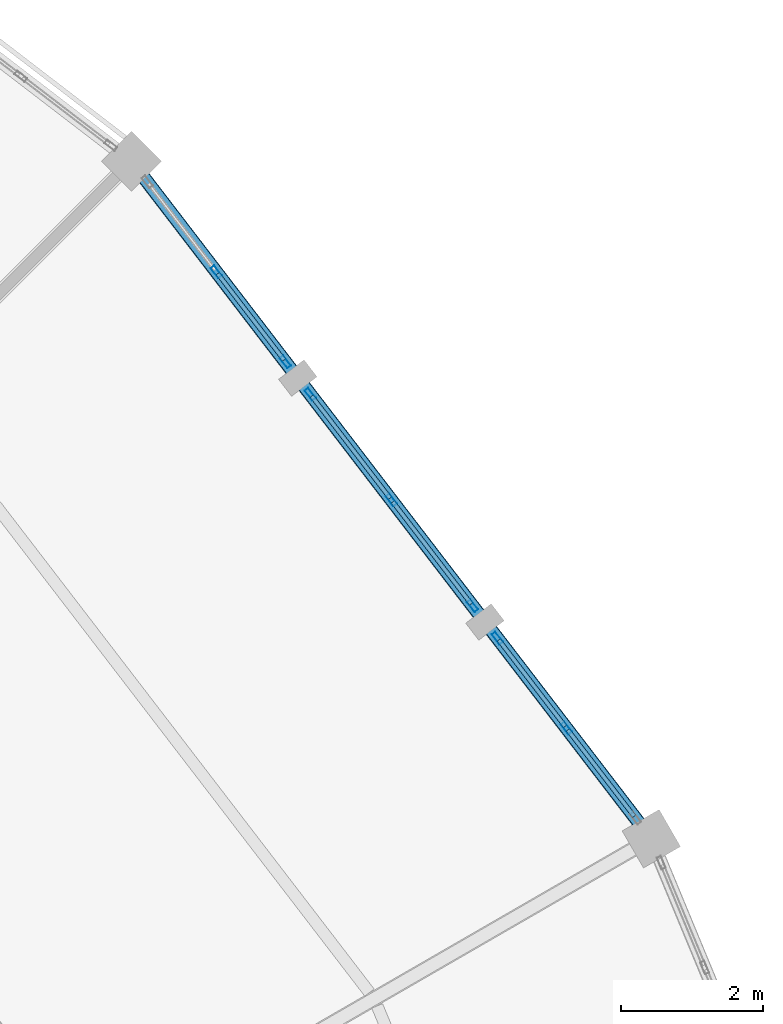
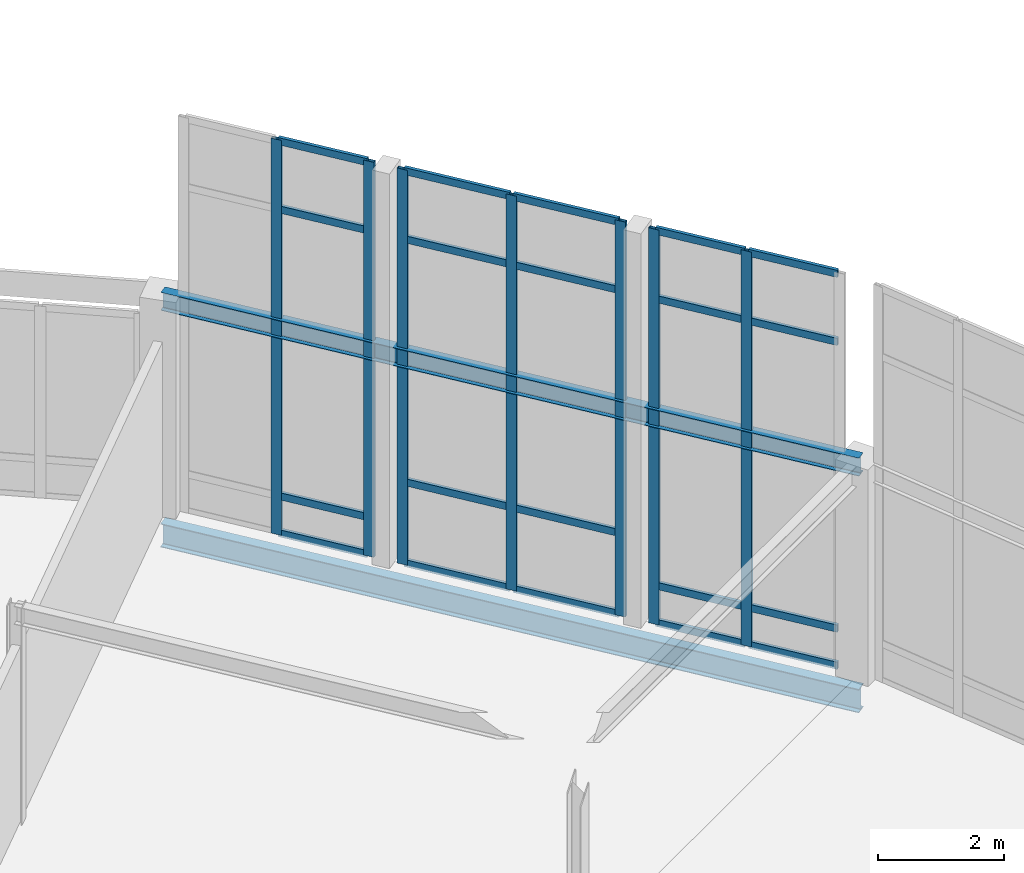
# One storey, part 131 of 185: 27 members, 2 beams, 3 elements without a shape of their own.
"""IFC4 building model written with IfcOpenShell, lengths in metres."""

from ifc_helpers import new_model, si_unit, direction, frame, origin, origin_2d, place, context, subcontext, project, spatial, hollow_rectangle, i_section, extrude, material, material_profile, profile_set, type_object, element, aggregate, save


model = new_model("IFC4")

# Units and contexts
model_context = context("Model", 3, precision=1e-05, world=origin(), true_north=direction((0.0, 1.0)))
body_context = subcontext(model_context, "Body", "Model", "MODEL_VIEW")
ifc_project = project(units=[si_unit("LENGTHUNIT", "METRE"), si_unit("AREAUNIT", "SQUARE_METRE"), si_unit("VOLUMEUNIT", "CUBIC_METRE"), si_unit("PLANEANGLEUNIT", "RADIAN"), si_unit("MASSUNIT", "GRAM", prefix="KILO")], contexts=[model_context])

# Site, building, storey
site_placement = place(None, origin())
site = spatial("IfcSite", under=ifc_project, at=site_placement, CompositionType="ELEMENT")
building_placement = place(site_placement, origin())
building = spatial("IfcBuilding", under=site, at=building_placement, Name="Vondelvale Polytechnic", CompositionType="ELEMENT")
storey_placement = place(building_placement, frame((0.0, 0.0, 9.60009765625)))
storey = spatial("IfcBuildingStorey", under=building, at=storey_placement, Name="L02", CompositionType="ELEMENT", Elevation=9.60009765625)

# Beams
ifc_material_1 = material(Name="Steel 300PLUS (fy = 300 MPa)", Category="steel")
ifc_material_profile_1 = material_profile(ifc_material_1, i_section(OverallWidth=0.1708984375, OverallDepth=0.35205078125, WebThickness=0.0068359375, FlangeThickness=0.009765625, FilletRadius=0.011474609375, at=origin_2d()), Name="360UB44.7")
ifc_profile_set_1 = profile_set([ifc_material_profile_1], Name="Steel 300PLUS (fy = 300 MPa)")
beam_type_1 = type_object("IfcBeamType", Name="BM-UB360L", PredefinedType="BEAM", material=ifc_profile_set_1)
beam_1_placement = place(storey_placement, frame((141.837158203125, 95.0, 4.02392578125), z_axis=(-0.608766116008, 0.793349743808, 0.0), x_axis=(-0.793349743808, -0.608766116008, 0.0)))
element("IfcBeam", 1, at=beam_1_placement, inside=storey, type_object=beam_type_1, Name="L02 RE B-24", PredefinedType="BEAM", context=body_context, shape_type="SweptSolid", body=[
    extrude(i_section(OverallWidth=0.1708984375, OverallDepth=0.35205078125, WebThickness=0.0068359375, FlangeThickness=0.009765625, FilletRadius=0.011474609375, at=origin_2d()), origin(), (0.0, 0.0, 1.0), 12.00830078125),
])
ifc_material_profile_2 = material_profile(ifc_material_1, i_section(OverallWidth=0.18994140625, OverallDepth=0.45703125, WebThickness=0.009033203125, FlangeThickness=0.014404296875, FilletRadius=0.011474609375, at=origin_2d()), Name="460UB74.6")
ifc_profile_set_2 = profile_set([ifc_material_profile_2], Name="Steel 300PLUS (fy = 300 MPa)")
beam_type_2 = type_object("IfcBeamType", Name="BM-UB460", PredefinedType="BEAM", material=ifc_profile_set_2)
beam_2_placement = place(storey_placement, frame((141.837158203125, 95.0, -0.508544921875), z_axis=(-0.608766116008, 0.793349743808, 0.0), x_axis=(-0.793349743808, -0.608766116008, 0.0)))
element("IfcBeam", 2, at=beam_2_placement, inside=storey, type_object=beam_type_2, Name="L02 RB B-13", PredefinedType="BEAM", context=body_context, shape_type="SweptSolid", body=[
    extrude(i_section(OverallWidth=0.18994140625, OverallDepth=0.45703125, WebThickness=0.009033203125, FlangeThickness=0.014404296875, FilletRadius=0.011474609375, at=origin_2d()), origin(), (0.0, 0.0, 1.0), 12.00830078125),
])

# Curtain wall, members
ifc_material_2 = material(Name="Glulam GL18 structural Tasmanian oak (fb = 42 MPa)", Category="wood")
curtain_wall_type = type_object("IfcCurtainWallType", Name="CW-RING-OUTER", PredefinedType="NOTDEFINED", material=ifc_material_2)
curtain_wall_1_placement = place(storey_placement, origin())
curtain_wall_1 = element("IfcCurtainWall", 3, at=curtain_wall_1_placement, inside=storey, type_object=curtain_wall_type, Name="L02 architectural curtain wall CW-04-094", PredefinedType="NOTDEFINED")
ifc_material_3 = material(Name="Anodised extruded aluminium 6063-T6", Category="aluminium")
ifc_material_profile_3 = material_profile(ifc_material_3, hollow_rectangle(XDim=0.06494140625, YDim=0.179931640625, WallThickness=0.00390625, at=origin_2d()), Name="CW-MUL-180x65")
ifc_profile_set_3 = profile_set([ifc_material_profile_3], Name="Anodised extruded aluminium 6063-T6")
member_type_1 = type_object("IfcMemberType", Name="CW-MUL-65x180", PredefinedType="MULLION", material=ifc_profile_set_3)
member_1_placement = place(storey_placement, frame((140.643798828125, 96.55517578125, 0.0), z_axis=(0.0, 0.0, 1.0), x_axis=(-0.793333825656, -0.608786860133, 0.0)))
member_1 = element("IfcMember", 4, at=member_1_placement, type_object=member_type_1, Name="CW-04-094 mullion 2", PredefinedType="MULLION", context=body_context, shape_type="SweptSolid", body=[
    extrude(hollow_rectangle(XDim=0.06494140625, YDim=0.179931640625, WallThickness=0.00390625, at=origin_2d()), origin(), (0.0, 0.0, 1.0), 7.661376953125),
])
member_2_placement = place(storey_placement, frame((139.6728515625, 97.820556640625, 0.0), z_axis=(0.0, 0.0, 1.0), x_axis=(-0.793333825656, -0.608786860133, 0.0)))
member_2 = element("IfcMember", 5, at=member_2_placement, type_object=member_type_1, Name="CW-04-094 mullion 3", PredefinedType="MULLION", context=body_context, shape_type="SweptSolid", body=[
    extrude(hollow_rectangle(XDim=0.06494140625, YDim=0.179931640625, WallThickness=0.00390625, at=origin_2d()), origin(), (0.0, 0.0, 1.0), 7.661376953125),
])

curtain_wall_2_placement = place(storey_placement, origin())
curtain_wall_2 = element("IfcCurtainWall", 6, at=curtain_wall_2_placement, inside=storey, type_object=curtain_wall_type, Name="L02 architectural curtain wall CW-04-095", PredefinedType="NOTDEFINED")
member_3_placement = place(storey_placement, frame((139.322998046875, 98.276611328125, 0.0), z_axis=(0.0, 0.0, 1.0), x_axis=(-0.793345851043, -0.608771189063, 0.0)))
member_3 = element("IfcMember", 7, at=member_3_placement, type_object=member_type_1, Name="CW-04-095 mullion 1", PredefinedType="MULLION", context=body_context, shape_type="SweptSolid", body=[
    extrude(hollow_rectangle(XDim=0.06494140625, YDim=0.179931640625, WallThickness=0.00390625, at=origin_2d()), origin(), (0.0, 0.0, 1.0), 7.661376953125),
])
member_4_placement = place(storey_placement, frame((138.18212890625, 99.763427734375, 0.0), z_axis=(0.0, 0.0, 1.0), x_axis=(-0.793345851043, -0.608771189063, 0.0)))
member_4 = element("IfcMember", 8, at=member_4_placement, type_object=member_type_1, Name="CW-04-095 mullion 2", PredefinedType="MULLION", context=body_context, shape_type="SweptSolid", body=[
    extrude(hollow_rectangle(XDim=0.06494140625, YDim=0.179931640625, WallThickness=0.00390625, at=origin_2d()), origin(), (0.0, 0.0, 1.0), 7.661376953125),
])
member_5_placement = place(storey_placement, frame((137.041259765625, 101.250244140625, 0.0), z_axis=(0.0, 0.0, 1.0), x_axis=(-0.793345851043, -0.608771189063, 0.0)))
member_5 = element("IfcMember", 9, at=member_5_placement, type_object=member_type_1, Name="CW-04-095 mullion 3", PredefinedType="MULLION", context=body_context, shape_type="SweptSolid", body=[
    extrude(hollow_rectangle(XDim=0.06494140625, YDim=0.179931640625, WallThickness=0.00390625, at=origin_2d()), origin(), (0.0, 0.0, 1.0), 7.661376953125),
])

curtain_wall_3_placement = place(storey_placement, origin())
curtain_wall_3 = element("IfcCurtainWall", 10, at=curtain_wall_3_placement, inside=storey, type_object=curtain_wall_type, Name="L02 architectural curtain wall CW-04-096", PredefinedType="NOTDEFINED")
member_6_placement = place(storey_placement, frame((136.691162109375, 101.706298828125, 0.0), z_axis=(0.0, 0.0, 1.0), x_axis=(-0.793333825656, -0.608786860133, 0.0)))
member_6 = element("IfcMember", 11, at=member_6_placement, type_object=member_type_1, Name="CW-04-096 mullion 1", PredefinedType="MULLION", context=body_context, shape_type="SweptSolid", body=[
    extrude(hollow_rectangle(XDim=0.06494140625, YDim=0.179931640625, WallThickness=0.00390625, at=origin_2d()), origin(), (0.0, 0.0, 1.0), 7.661376953125),
])
member_7_placement = place(storey_placement, frame((135.72021484375, 102.9716796875, 0.0), z_axis=(0.0, 0.0, 1.0), x_axis=(-0.793333825656, -0.608786860133, 0.0)))
member_7 = element("IfcMember", 12, at=member_7_placement, type_object=member_type_1, Name="CW-04-096 mullion 2", PredefinedType="MULLION", context=body_context, shape_type="SweptSolid", body=[
    extrude(hollow_rectangle(XDim=0.06494140625, YDim=0.179931640625, WallThickness=0.00390625, at=origin_2d()), origin(), (0.0, 0.0, 1.0), 7.661376953125),
])

# Member
ifc_material_profile_4 = material_profile(ifc_material_3, hollow_rectangle(XDim=0.06005859375, YDim=0.139892578125, WallThickness=0.00341796875, at=origin_2d()), Name="CW-TRN-140x60")
ifc_profile_set_4 = profile_set([ifc_material_profile_4], Name="Anodised extruded aluminium 6063-T6")
member_type_2 = type_object("IfcMemberType", Name="CW-TRN-60x140", PredefinedType="USERDEFINED", material=ifc_profile_set_4)
member_8_placement = place(storey_placement, frame((141.59521484375, 95.315673828125, 0.02978515625), z_axis=(-0.608923875222, 0.7932286645, 0.0), x_axis=(-0.7932286645, -0.608923875222, 0.0)))
member_8 = element("IfcMember", 13, at=member_8_placement, type_object=member_type_2, Name="CW-04-094 transom 1.1", ObjectType="TRANSOM", PredefinedType="USERDEFINED", context=body_context, shape_type="SweptSolid", body=[
    extrude(hollow_rectangle(XDim=0.06005859375, YDim=0.139892578125, WallThickness=0.00341796875, at=origin_2d()), origin(), (0.0, 0.0, 1.0), 1.530029296875),
])

member_9_placement = place(storey_placement, frame((141.59521484375, 95.315673828125, 0.75), z_axis=(-0.608923875222, 0.7932286645, 0.0), x_axis=(-0.7932286645, -0.608923875222, 0.0)))
member_9 = element("IfcMember", 14, at=member_9_placement, type_object=member_type_2, Name="CW-04-094 transom 1.2", ObjectType="TRANSOM", PredefinedType="USERDEFINED", context=body_context, shape_type="SweptSolid", body=[
    extrude(hollow_rectangle(XDim=0.06005859375, YDim=0.139892578125, WallThickness=0.00341796875, at=origin_2d()), origin(), (0.0, 0.0, 1.0), 1.530029296875),
])

member_10_placement = place(storey_placement, frame((141.59521484375, 95.315673828125, 6.311279296875), z_axis=(-0.608923875222, 0.7932286645, 0.0), x_axis=(-0.7932286645, -0.608923875222, 0.0)))
member_10 = element("IfcMember", 15, at=member_10_placement, type_object=member_type_2, Name="CW-04-094 transom 1.3", ObjectType="TRANSOM", PredefinedType="USERDEFINED", context=body_context, shape_type="SweptSolid", body=[
    extrude(hollow_rectangle(XDim=0.06005859375, YDim=0.139892578125, WallThickness=0.00341796875, at=origin_2d()), origin(), (0.0, 0.0, 1.0), 1.530029296875),
])

member_11_placement = place(storey_placement, frame((141.59521484375, 95.315673828125, 7.63134765625), z_axis=(-0.608923875222, 0.7932286645, 0.0), x_axis=(-0.7932286645, -0.608923875222, 0.0)))
member_11 = element("IfcMember", 16, at=member_11_placement, type_object=member_type_2, Name="CW-04-094 transom 1.4", ObjectType="TRANSOM", PredefinedType="USERDEFINED", context=body_context, shape_type="SweptSolid", body=[
    extrude(hollow_rectangle(XDim=0.06005859375, YDim=0.139892578125, WallThickness=0.00341796875, at=origin_2d()), origin(), (0.0, 0.0, 1.0), 1.530029296875),
])

member_12_placement = place(storey_placement, frame((140.6240234375, 96.5810546875, 0.02978515625), z_axis=(-0.60882345649, 0.793305741078, 0.0), x_axis=(-0.793305741078, -0.60882345649, 0.0)))
member_12 = element("IfcMember", 17, at=member_12_placement, type_object=member_type_2, Name="CW-04-094 transom 2.1", ObjectType="TRANSOM", PredefinedType="USERDEFINED", context=body_context, shape_type="SweptSolid", body=[
    extrude(hollow_rectangle(XDim=0.06005859375, YDim=0.139892578125, WallThickness=0.00341796875, at=origin_2d()), origin(), (0.0, 0.0, 1.0), 1.52978515625),
])

member_13_placement = place(storey_placement, frame((140.6240234375, 96.5810546875, 0.75), z_axis=(-0.60882345649, 0.793305741078, 0.0), x_axis=(-0.793305741078, -0.60882345649, 0.0)))
member_13 = element("IfcMember", 18, at=member_13_placement, type_object=member_type_2, Name="CW-04-094 transom 2.2", ObjectType="TRANSOM", PredefinedType="USERDEFINED", context=body_context, shape_type="SweptSolid", body=[
    extrude(hollow_rectangle(XDim=0.06005859375, YDim=0.139892578125, WallThickness=0.00341796875, at=origin_2d()), origin(), (0.0, 0.0, 1.0), 1.52978515625),
])

member_14_placement = place(storey_placement, frame((140.6240234375, 96.5810546875, 6.311279296875), z_axis=(-0.60882345649, 0.793305741078, 0.0), x_axis=(-0.793305741078, -0.60882345649, 0.0)))
member_14 = element("IfcMember", 19, at=member_14_placement, type_object=member_type_2, Name="CW-04-094 transom 2.3", ObjectType="TRANSOM", PredefinedType="USERDEFINED", context=body_context, shape_type="SweptSolid", body=[
    extrude(hollow_rectangle(XDim=0.06005859375, YDim=0.139892578125, WallThickness=0.00341796875, at=origin_2d()), origin(), (0.0, 0.0, 1.0), 1.52978515625),
])

member_15_placement = place(storey_placement, frame((140.6240234375, 96.5810546875, 7.63134765625), z_axis=(-0.60882345649, 0.793305741078, 0.0), x_axis=(-0.793305741078, -0.60882345649, 0.0)))
member_15 = element("IfcMember", 20, at=member_15_placement, type_object=member_type_2, Name="CW-04-094 transom 2.4", ObjectType="TRANSOM", PredefinedType="USERDEFINED", context=body_context, shape_type="SweptSolid", body=[
    extrude(hollow_rectangle(XDim=0.06005859375, YDim=0.139892578125, WallThickness=0.00341796875, at=origin_2d()), origin(), (0.0, 0.0, 1.0), 1.52978515625),
])

aggregate(curtain_wall_1, [member_1, member_2, member_8, member_9, member_10, member_11, member_12, member_13, member_14, member_15])

member_16_placement = place(storey_placement, frame((139.30322265625, 98.302490234375, 0.02978515625), z_axis=(-0.608816809849, 0.793310842007, 0.0), x_axis=(-0.793310842007, -0.608816809849, 0.0)))
member_16 = element("IfcMember", 21, at=member_16_placement, type_object=member_type_2, Name="CW-04-095 transom 1.1", ObjectType="TRANSOM", PredefinedType="USERDEFINED", context=body_context, shape_type="SweptSolid", body=[
    extrude(hollow_rectangle(XDim=0.06005859375, YDim=0.139892578125, WallThickness=0.00341796875, at=origin_2d()), origin(), (0.0, 0.0, 1.0), 1.808837890625),
])

member_17_placement = place(storey_placement, frame((139.30322265625, 98.302490234375, 1.599853515625), z_axis=(-0.608816809849, 0.793310842007, 0.0), x_axis=(-0.793310842007, -0.608816809849, 0.0)))
member_17 = element("IfcMember", 22, at=member_17_placement, type_object=member_type_2, Name="CW-04-095 transom 1.2", ObjectType="TRANSOM", PredefinedType="USERDEFINED", context=body_context, shape_type="SweptSolid", body=[
    extrude(hollow_rectangle(XDim=0.06005859375, YDim=0.139892578125, WallThickness=0.00341796875, at=origin_2d()), origin(), (0.0, 0.0, 1.0), 1.808837890625),
])

member_18_placement = place(storey_placement, frame((139.30322265625, 98.302490234375, 6.311279296875), z_axis=(-0.608816809849, 0.793310842007, 0.0), x_axis=(-0.793310842007, -0.608816809849, 0.0)))
member_18 = element("IfcMember", 23, at=member_18_placement, type_object=member_type_2, Name="CW-04-095 transom 1.3", ObjectType="TRANSOM", PredefinedType="USERDEFINED", context=body_context, shape_type="SweptSolid", body=[
    extrude(hollow_rectangle(XDim=0.06005859375, YDim=0.139892578125, WallThickness=0.00341796875, at=origin_2d()), origin(), (0.0, 0.0, 1.0), 1.808837890625),
])

member_19_placement = place(storey_placement, frame((139.30322265625, 98.302490234375, 7.63134765625), z_axis=(-0.608816809849, 0.793310842007, 0.0), x_axis=(-0.793310842007, -0.608816809849, 0.0)))
member_19 = element("IfcMember", 24, at=member_19_placement, type_object=member_type_2, Name="CW-04-095 transom 1.4", ObjectType="TRANSOM", PredefinedType="USERDEFINED", context=body_context, shape_type="SweptSolid", body=[
    extrude(hollow_rectangle(XDim=0.06005859375, YDim=0.139892578125, WallThickness=0.00341796875, at=origin_2d()), origin(), (0.0, 0.0, 1.0), 1.808837890625),
])

member_20_placement = place(storey_placement, frame((138.162353515625, 99.789306640625, 0.02978515625), z_axis=(-0.608816809849, 0.793310842007, 0.0), x_axis=(-0.793310842007, -0.608816809849, 0.0)))
member_20 = element("IfcMember", 25, at=member_20_placement, type_object=member_type_2, Name="CW-04-095 transom 2.1", ObjectType="TRANSOM", PredefinedType="USERDEFINED", context=body_context, shape_type="SweptSolid", body=[
    extrude(hollow_rectangle(XDim=0.06005859375, YDim=0.139892578125, WallThickness=0.00341796875, at=origin_2d()), origin(), (0.0, 0.0, 1.0), 1.808837890625),
])

member_21_placement = place(storey_placement, frame((138.162353515625, 99.789306640625, 1.599853515625), z_axis=(-0.608816809849, 0.793310842007, 0.0), x_axis=(-0.793310842007, -0.608816809849, 0.0)))
member_21 = element("IfcMember", 26, at=member_21_placement, type_object=member_type_2, Name="CW-04-095 transom 2.2", ObjectType="TRANSOM", PredefinedType="USERDEFINED", context=body_context, shape_type="SweptSolid", body=[
    extrude(hollow_rectangle(XDim=0.06005859375, YDim=0.139892578125, WallThickness=0.00341796875, at=origin_2d()), origin(), (0.0, 0.0, 1.0), 1.808837890625),
])

member_22_placement = place(storey_placement, frame((138.162353515625, 99.789306640625, 6.311279296875), z_axis=(-0.608816809849, 0.793310842007, 0.0), x_axis=(-0.793310842007, -0.608816809849, 0.0)))
member_22 = element("IfcMember", 27, at=member_22_placement, type_object=member_type_2, Name="CW-04-095 transom 2.3", ObjectType="TRANSOM", PredefinedType="USERDEFINED", context=body_context, shape_type="SweptSolid", body=[
    extrude(hollow_rectangle(XDim=0.06005859375, YDim=0.139892578125, WallThickness=0.00341796875, at=origin_2d()), origin(), (0.0, 0.0, 1.0), 1.808837890625),
])

member_23_placement = place(storey_placement, frame((138.162353515625, 99.789306640625, 7.63134765625), z_axis=(-0.608816809849, 0.793310842007, 0.0), x_axis=(-0.793310842007, -0.608816809849, 0.0)))
member_23 = element("IfcMember", 28, at=member_23_placement, type_object=member_type_2, Name="CW-04-095 transom 2.4", ObjectType="TRANSOM", PredefinedType="USERDEFINED", context=body_context, shape_type="SweptSolid", body=[
    extrude(hollow_rectangle(XDim=0.06005859375, YDim=0.139892578125, WallThickness=0.00341796875, at=origin_2d()), origin(), (0.0, 0.0, 1.0), 1.808837890625),
])

aggregate(curtain_wall_2, [member_3, member_4, member_5, member_16, member_17, member_18, member_19, member_20, member_21, member_22, member_23])

member_24_placement = place(storey_placement, frame((136.67138671875, 101.732177734375, 0.02978515625), z_axis=(-0.608746385664, 0.793364883229, 0.0), x_axis=(-0.793364883229, -0.608746385664, 0.0)))
member_24 = element("IfcMember", 29, at=member_24_placement, type_object=member_type_2, Name="CW-04-096 transom 1.1", ObjectType="TRANSOM", PredefinedType="USERDEFINED", context=body_context, shape_type="SweptSolid", body=[
    extrude(hollow_rectangle(XDim=0.06005859375, YDim=0.139892578125, WallThickness=0.00341796875, at=origin_2d()), origin(), (0.0, 0.0, 1.0), 1.530029296875),
])

member_25_placement = place(storey_placement, frame((136.67138671875, 101.732177734375, 0.75), z_axis=(-0.608746385664, 0.793364883229, 0.0), x_axis=(-0.793364883229, -0.608746385664, 0.0)))
member_25 = element("IfcMember", 30, at=member_25_placement, type_object=member_type_2, Name="CW-04-096 transom 1.2", ObjectType="TRANSOM", PredefinedType="USERDEFINED", context=body_context, shape_type="SweptSolid", body=[
    extrude(hollow_rectangle(XDim=0.06005859375, YDim=0.139892578125, WallThickness=0.00341796875, at=origin_2d()), origin(), (0.0, 0.0, 1.0), 1.530029296875),
])

member_26_placement = place(storey_placement, frame((136.67138671875, 101.732177734375, 6.311279296875), z_axis=(-0.608746385664, 0.793364883229, 0.0), x_axis=(-0.793364883229, -0.608746385664, 0.0)))
member_26 = element("IfcMember", 31, at=member_26_placement, type_object=member_type_2, Name="CW-04-096 transom 1.3", ObjectType="TRANSOM", PredefinedType="USERDEFINED", context=body_context, shape_type="SweptSolid", body=[
    extrude(hollow_rectangle(XDim=0.06005859375, YDim=0.139892578125, WallThickness=0.00341796875, at=origin_2d()), origin(), (0.0, 0.0, 1.0), 1.530029296875),
])

member_27_placement = place(storey_placement, frame((136.67138671875, 101.732177734375, 7.63134765625), z_axis=(-0.608746385664, 0.793364883229, 0.0), x_axis=(-0.793364883229, -0.608746385664, 0.0)))
member_27 = element("IfcMember", 32, at=member_27_placement, type_object=member_type_2, Name="CW-04-096 transom 1.4", ObjectType="TRANSOM", PredefinedType="USERDEFINED", context=body_context, shape_type="SweptSolid", body=[
    extrude(hollow_rectangle(XDim=0.06005859375, YDim=0.139892578125, WallThickness=0.00341796875, at=origin_2d()), origin(), (0.0, 0.0, 1.0), 1.530029296875),
])

aggregate(curtain_wall_3, [member_6, member_7, member_24, member_25, member_26, member_27])

save(model, "model.ifc")
